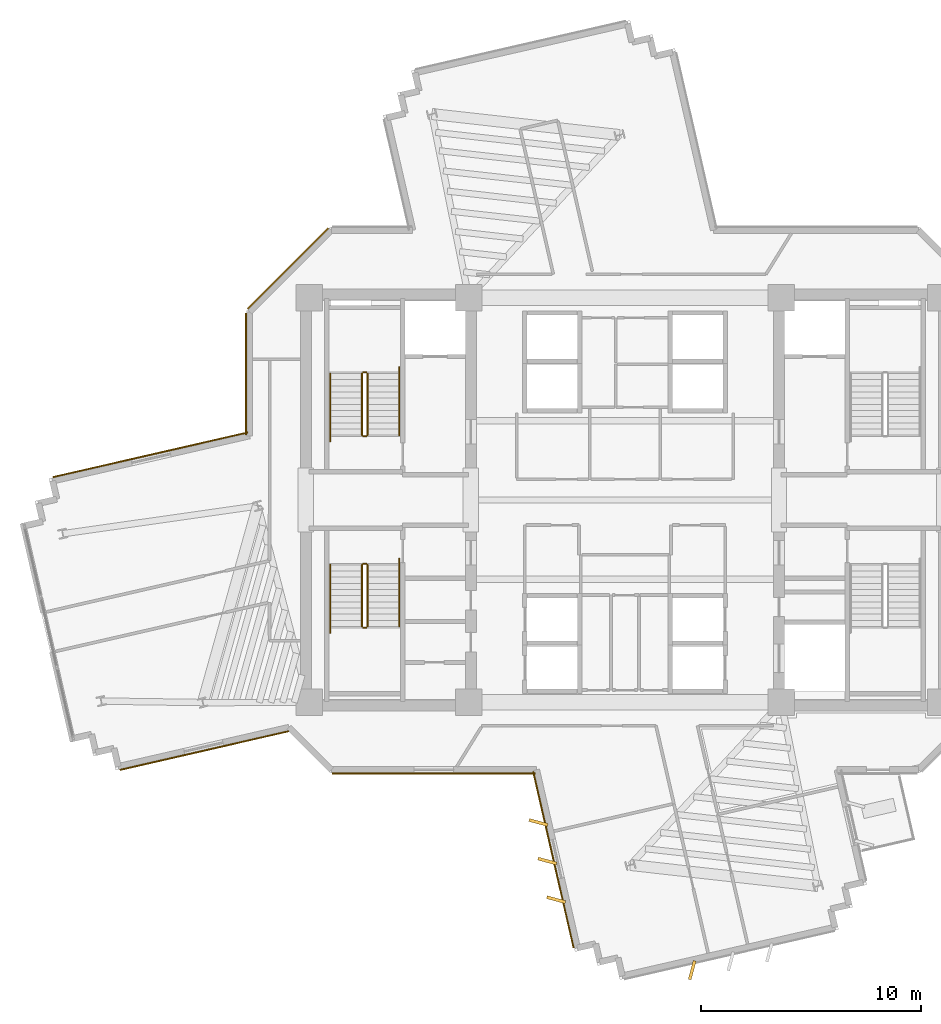
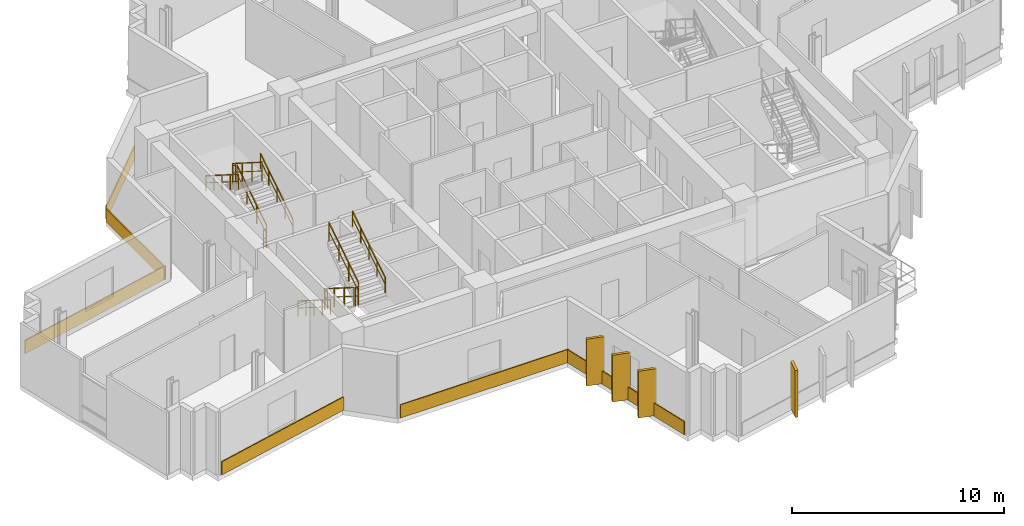
# One storey, part 11 of 13: 12 railings, 10 coverings.
"""IFC4 building model written with IfcOpenShell, lengths in metres."""

import ifcopenshell
import ifcopenshell.guid

model = None  # the IFC model being written
_history = None  # IfcOwnerHistory: only IFC2X3 demands one
_inside = {}  # id of a spatial element -> (the spatial element, [elements in it])
_under = {}  # id of a project, library or spatial element -> (it, [spatial elements below it])
_declared = {}  # id of a project -> (the project, [libraries it declares])
_typed = {}  # id of a type object -> (the type object, [elements of that type])
_made_of = {}  # id of a material, layer set ... -> (it, [elements and type objects made of it])


def new_model(schema):
    """Start an empty IFC model of exactly this schema.

    Asked for "IFC4X3", IfcOpenShell would pick the latest addendum, in which some entities
    have other attributes; the version numbers below select the first issue.
    IFC2X3 requires an IfcOwnerHistory on every rooted entity: one is made here for all.
    """
    global model, _history
    if schema == "IFC4X3":
        model = ifcopenshell.file(schema_version=(4, 3, 0, 0))
    else:
        model = ifcopenshell.file(schema=schema)
    _inside.clear()
    _under.clear()
    _declared.clear()
    _typed.clear()
    _made_of.clear()
    _history = None
    if model.schema == "IFC2X3":
        org = make("IfcOrganization", Name="unknown")
        user = make(
            "IfcPersonAndOrganization",
            ThePerson=make("IfcPerson", FamilyName="unknown"),
            TheOrganization=org,
        )
        app = make(
            "IfcApplication",
            ApplicationDeveloper=org,
            Version="unknown",
            ApplicationFullName="unknown",
            ApplicationIdentifier="unknown",
        )
        _history = make(
            "IfcOwnerHistory",
            OwningUser=user,
            OwningApplication=app,
            ChangeAction="ADDED",
            CreationDate=0,
        )
    return model


def make(cls, **values):
    """One entity of the class cls with the attributes given. An attribute that is None is left unset."""
    return model.create_entity(
        cls, **{name: value for name, value in values.items() if value is not None}
    )


def rooted(cls, **values):
    """An entity with a GlobalId (a new one), such as an element, a storey or a relation."""
    return make(cls, GlobalId=ifcopenshell.guid.new(), OwnerHistory=_history, **values)


def si_unit(unit_type, name, prefix=None):
    """IfcSIUnit, for example si_unit("LENGTHUNIT", "METRE", prefix="MILLI")."""
    return make("IfcSIUnit", UnitType=unit_type, Prefix=prefix, Name=name)


def assignment(units):
    """IfcUnitAssignment: the units of a project."""
    return None if units is None else make("IfcUnitAssignment", Units=units)


def point(xyz):
    """IfcCartesianPoint."""
    return None if xyz is None else make("IfcCartesianPoint", Coordinates=xyz)


def direction(xyz):
    """IfcDirection."""
    return None if xyz is None else make("IfcDirection", DirectionRatios=xyz)


def frame(location, z_axis=None, x_axis=None):
    """IfcAxis2Placement3D, a coordinate frame: its origin and axes. An axis left out is left unset."""
    return make(
        "IfcAxis2Placement3D",
        Location=point(location),
        Axis=direction(z_axis),
        RefDirection=direction(x_axis),
    )


def frame_2d(location, x_axis=None):
    """IfcAxis2Placement2D, a coordinate frame in the plane: its origin and x axis."""
    return make(
        "IfcAxis2Placement2D", Location=point(location), RefDirection=direction(x_axis)
    )


def origin():
    """The frame at (0, 0, 0) with its axes left unset."""
    return frame((0.0, 0.0, 0.0))


def origin_2d():
    """The frame at (0, 0) in the plane with its x axis left unset."""
    return frame_2d((0.0, 0.0))


def place(relative_to, where):
    """IfcLocalPlacement: puts the frame where relative to a parent placement (None: the world)."""
    return make(
        "IfcLocalPlacement", PlacementRelTo=relative_to, RelativePlacement=where
    )


def context(
    kind, dimensions, precision=None, world=None, true_north=None, identifier=None
):
    """IfcGeometricRepresentationContext, for example the 3D "Model" context."""
    return make(
        "IfcGeometricRepresentationContext",
        ContextIdentifier=identifier,
        ContextType=kind,
        CoordinateSpaceDimension=dimensions,
        Precision=precision,
        WorldCoordinateSystem=world,
        TrueNorth=true_north,
    )


def subcontext(parent, identifier, kind, view, scale=None):
    """IfcGeometricRepresentationSubContext, for example "Body" below "Model"."""
    return make(
        "IfcGeometricRepresentationSubContext",
        ContextIdentifier=identifier,
        ContextType=kind,
        ParentContext=parent,
        TargetScale=scale,
        TargetView=view,
    )


def project(units=None, contexts=None):
    """IfcProject with its units and contexts."""
    return rooted(
        "IfcProject",
        Name="project",
        RepresentationContexts=contexts,
        UnitsInContext=assignment(units),
    )


def spatial(cls, under=None, at=None, **own):
    """A site, building, storey or space (cls), placed at a placement, below another one or the project."""
    s = rooted(cls, ObjectPlacement=at, **own)
    if under is not None:
        _under.setdefault(under.id(), (under, []))[1].append(s)
    return s


def profile(cls, at=None, kind="AREA", **sizes):
    """A parametric profile (cls). Its sizes go by their IFC names, for example OverallWidth=200.0."""
    return make(cls, ProfileType=kind, Position=at, **sizes)


def rectangle(**sizes):
    """IfcRectangleProfileDef."""
    return profile("IfcRectangleProfileDef", **sizes)


def extrude(swept, where, along, depth):
    """IfcExtrudedAreaSolid: the profile swept, set in the frame where, extruded along a direction by depth."""
    return make(
        "IfcExtrudedAreaSolid",
        SweptArea=swept,
        Position=where,
        ExtrudedDirection=direction(along),
        Depth=depth,
    )


def shape(context_of_items, identifier, shape_type, items):
    """IfcShapeRepresentation: the items that make up one representation, for example the "Body"."""
    return make(
        "IfcShapeRepresentation",
        ContextOfItems=context_of_items,
        RepresentationIdentifier=identifier,
        RepresentationType=shape_type,
        Items=items,
    )


def source(mapping_origin, context_of_items, identifier, shape_type, items):
    """IfcRepresentationMap: a shape defined once, which mapped items show again and again."""
    return make(
        "IfcRepresentationMap",
        MappingOrigin=mapping_origin,
        MappedRepresentation=shape(context_of_items, identifier, shape_type, items),
    )


def transform(
    local_origin,
    x_axis=None,
    y_axis=None,
    z_axis=None,
    scale=None,
    scale2=None,
    scale3=None,
    uniform=True,
):
    """IfcCartesianTransformationOperator3D, or its non-uniform kind. x_axis, y_axis, z_axis: its Axis1, 2, 3."""
    if uniform:
        return make(
            "IfcCartesianTransformationOperator3D",
            Axis1=direction(x_axis),
            Axis2=direction(y_axis),
            LocalOrigin=point(local_origin),
            Scale=scale,
            Axis3=direction(z_axis),
        )
    return make(
        "IfcCartesianTransformationOperator3DnonUniform",
        Axis1=direction(x_axis),
        Axis2=direction(y_axis),
        LocalOrigin=point(local_origin),
        Scale=scale,
        Axis3=direction(z_axis),
        Scale2=scale2,
        Scale3=scale3,
    )


def mapped(mapping_source, mapping_target):
    """IfcMappedItem: shows the shape of a source again, moved by a transform."""
    return make(
        "IfcMappedItem", MappingSource=mapping_source, MappingTarget=mapping_target
    )


def material(Name=None, Category=None):
    """IfcMaterial."""
    return make("IfcMaterial", Name=Name, Category=Category)


def layer(
    of_material, thickness, ventilated=None, Name=None, Category=None, Priority=None
):
    """IfcMaterialLayer: one layer of a wall or slab, of a material (None: an air gap)."""
    return make(
        "IfcMaterialLayer",
        Material=of_material,
        LayerThickness=thickness,
        IsVentilated=ventilated,
        Name=Name,
        Category=Category,
        Priority=Priority,
    )


def layer_set(layers, Name=None):
    """IfcMaterialLayerSet."""
    return make("IfcMaterialLayerSet", MaterialLayers=layers, LayerSetName=Name)


def made_of(thing, what):
    """Note that an element or type object is made of a material, layer set ...; save() writes the relation."""
    if what is not None:
        _made_of.setdefault(what.id(), (what, []))[1].append(thing)
    return thing


def type_object(cls, material=None, **own):
    """A type object (cls), such as IfcWallType, which elements share."""
    return made_of(rooted(cls, **own), material)


def element(
    cls,
    number,
    at=None,
    inside=None,
    cuts=None,
    type_object=None,
    material=None,
    context=None,
    identifier="Body",
    shape_type=None,
    held_by="IfcProductDefinitionShape",
    body=None,
    shapes=None,
    **own,
):
    """One element of the class cls, such as IfcWall. Its Tag is "e" and its number.

    at: its placement. inside: the storey or other place that contains it. cuts: it is an
    opening in that element (IfcRelVoidsElement). A single representation is given by context,
    identifier, shape_type and body (its items); several are given by shapes. held_by: the class
    of the entity that holds the representations. save() writes the other relations.
    """
    e = rooted(cls, Tag="e%d" % number, ObjectPlacement=at, **own)
    if body is not None:
        shapes = [shape(context, identifier, shape_type, body)]
    if shapes is not None:
        e.Representation = make(held_by, Representations=shapes)
    if inside is not None:
        _inside.setdefault(inside.id(), (inside, []))[1].append(e)
    if cuts is not None:
        rooted(
            "IfcRelVoidsElement", RelatingBuildingElement=cuts, RelatedOpeningElement=e
        )
    if type_object is not None:
        _typed.setdefault(type_object.id(), (type_object, []))[1].append(e)
    return made_of(e, material)


def aggregate(whole, parts):
    """IfcRelAggregates: a whole, such as a stair, and the parts it consists of."""
    return rooted("IfcRelAggregates", RelatingObject=whole, RelatedObjects=parts)


def save(model, path):
    """Write the relations noted so far, then the file.

    IfcRelAggregates (storeys below a building ...), IfcRelContainedInSpatialStructure (elements
    in a storey), IfcRelDefinesByType, IfcRelAssociatesMaterial and IfcRelDeclares: one each for
    every whole, place, type object, material and project.
    """
    for whole, parts in _under.values():
        aggregate(whole, parts)
    for where, things in _inside.values():
        rooted(
            "IfcRelContainedInSpatialStructure",
            RelatedElements=things,
            RelatingStructure=where,
        )
    for kind, things in _typed.values():
        rooted("IfcRelDefinesByType", RelatedObjects=things, RelatingType=kind)
    for what, things in _made_of.values():
        rooted("IfcRelAssociatesMaterial", RelatedObjects=things, RelatingMaterial=what)
    for by, libraries in _declared.values():
        rooted("IfcRelDeclares", RelatingContext=by, RelatedDefinitions=libraries)
    model.write(path)


model = new_model("IFC4")

# Units and contexts
model_context = context("Model", 3, precision=1e-05, world=origin(), true_north=direction((0.0, 1.0)))
body_context = subcontext(model_context, "Body", "Model", "MODEL_VIEW")
ifc_project = project(units=[si_unit("LENGTHUNIT", "METRE"), si_unit("AREAUNIT", "SQUARE_METRE"), si_unit("VOLUMEUNIT", "CUBIC_METRE"), si_unit("PLANEANGLEUNIT", "RADIAN"), si_unit("MASSUNIT", "GRAM", prefix="KILO")], contexts=[model_context])

# Site, building, storey
site_placement = place(None, origin())
site = spatial("IfcSite", under=ifc_project, at=site_placement, CompositionType="ELEMENT")
building_placement = place(site_placement, origin())
building = spatial("IfcBuilding", under=site, at=building_placement, Name="Zahravan Cultural Tower", CompositionType="ELEMENT")
storey_placement = place(building_placement, frame((0.0, 0.0, 170.699951171875)))
storey = spatial("IfcBuildingStorey", under=building, at=storey_placement, Name="L39", CompositionType="ELEMENT", Elevation=170.699951171875)

# Railings
ifc_material_1 = material(Name="Steel ASTM A572 Grade 50", Category="steel")
railing_type_1 = type_object("IfcRailingType", Name="RL-STAIR-GRD1150", PredefinedType="BALUSTRADE", material=ifc_material_1)
railing_1_placement = place(storey_placement, frame((24.300048828125, 29.949951171875, 0.17724609375)))
element("IfcRailing", 1, at=railing_1_placement, inside=storey, type_object=railing_type_1, Name="L39 ST-W1 stair guard 1", PredefinedType="BALUSTRADE", context=body_context, shape_type="SweptSolid", body=[
    extrude(rectangle(XDim=0.05, YDim=0.05, at=origin_2d()), frame((0.0, 0.0, 1.0751953125), z_axis=(0.0, 0.844908973607, 0.534910110503), x_axis=(-1.0, 0.0, 0.0)), (0.0, 0.0, 1.0), 3.31396484375),
    extrude(rectangle(XDim=0.032, YDim=0.032, at=origin_2d()), frame((0.0, 0.0, 0.572021484375), z_axis=(0.0, 0.844908973607, 0.534910110503), x_axis=(-1.0, 0.0, 0.0)), (0.0, 0.0, 1.0), 3.31396484375),
    extrude(rectangle(XDim=0.04, YDim=0.04, at=origin_2d()), origin(), (0.0, 0.0, 1.0), 1.10009765625),
    extrude(rectangle(XDim=0.04, YDim=0.04, at=origin_2d()), frame((0.0, 0.933349609375, 0.5908203125)), (0.0, 0.0, 1.0), 1.10009765625),
    extrude(rectangle(XDim=0.04, YDim=0.04, at=origin_2d()), frame((0.0, 1.86669921875, 1.181884765625)), (0.0, 0.0, 1.0), 1.10009765625),
    extrude(rectangle(XDim=0.04, YDim=0.04, at=origin_2d()), frame((0.0, 2.800048828125, 1.772705078125)), (0.0, 0.0, 1.0), 1.10009765625),
])
railing_2_placement = place(storey_placement, frame((24.25, 32.800048828125, 1.949951171875)))
element("IfcRailing", 2, at=railing_2_placement, inside=storey, type_object=railing_type_1, Name="L39 ST-W1 stair guard 2", PredefinedType="BALUSTRADE", context=body_context, shape_type="SweptSolid", body=[
    extrude(rectangle(XDim=0.05, YDim=0.05, at=origin_2d()), frame((0.0, 0.0, 1.0751953125), z_axis=(-1.0, 0.0, 0.0), x_axis=(0.0, -1.0, 0.0)), (0.0, 0.0, 1.0), 0.14990234375),
    extrude(rectangle(XDim=0.032, YDim=0.032, at=origin_2d()), frame((0.0, 0.0, 0.572021484375), z_axis=(-1.0, 0.0, 0.0), x_axis=(0.0, -1.0, 0.0)), (0.0, 0.0, 1.0), 0.14990234375),
    extrude(rectangle(XDim=0.04, YDim=0.04, at=origin_2d()), origin(), (0.0, 0.0, 1.0), 1.10009765625),
    extrude(rectangle(XDim=0.04, YDim=0.04, at=origin_2d()), frame((-0.14990234375, 0.0, 0.0)), (0.0, 0.0, 1.0), 1.10009765625),
])
railing_3_placement = place(storey_placement, frame((24.050048828125, 32.75, 2.12744140625)))
element("IfcRailing", 3, at=railing_3_placement, inside=storey, type_object=railing_type_1, Name="L39 ST-W1 stair guard 3", PredefinedType="BALUSTRADE", context=body_context, shape_type="SweptSolid", body=[
    extrude(rectangle(XDim=0.05, YDim=0.05, at=origin_2d()), frame((0.0, 0.0, 1.0751953125), z_axis=(0.0, -0.844908973607, 0.534910110503), x_axis=(1.0, 0.0, 0.0)), (0.0, 0.0, 1.0), 3.31396484375),
    extrude(rectangle(XDim=0.032, YDim=0.032, at=origin_2d()), frame((0.0, 0.0, 0.572021484375), z_axis=(0.0, -0.844908973607, 0.534910110503), x_axis=(1.0, 0.0, 0.0)), (0.0, 0.0, 1.0), 3.31396484375),
    extrude(rectangle(XDim=0.04, YDim=0.04, at=origin_2d()), origin(), (0.0, 0.0, 1.0), 1.10009765625),
    extrude(rectangle(XDim=0.04, YDim=0.04, at=origin_2d()), frame((0.0, -0.933349609375, 0.5908203125)), (0.0, 0.0, 1.0), 1.10009765625),
    extrude(rectangle(XDim=0.04, YDim=0.04, at=origin_2d()), frame((0.0, -1.86669921875, 1.181884765625)), (0.0, 0.0, 1.0), 1.10009765625),
    extrude(rectangle(XDim=0.04, YDim=0.04, at=origin_2d()), frame((0.0, -2.800048828125, 1.772705078125)), (0.0, 0.0, 1.0), 1.10009765625),
])
railing_4_placement = place(storey_placement, frame((24.25, 29.89990234375, 0.0)))
element("IfcRailing", 4, at=railing_4_placement, inside=storey, type_object=railing_type_1, Name="L39 ST-W1 stair guard 4", PredefinedType="BALUSTRADE", context=body_context, shape_type="SweptSolid", body=[
    extrude(rectangle(XDim=0.05, YDim=0.05, at=origin_2d()), frame((0.0, 0.0, 1.0751953125), z_axis=(-1.0, 0.0, 0.0), x_axis=(0.0, -1.0, 0.0)), (0.0, 0.0, 1.0), 0.14990234375),
    extrude(rectangle(XDim=0.032, YDim=0.032, at=origin_2d()), frame((0.0, 0.0, 0.572021484375), z_axis=(-1.0, 0.0, 0.0), x_axis=(0.0, -1.0, 0.0)), (0.0, 0.0, 1.0), 0.14990234375),
    extrude(rectangle(XDim=0.04, YDim=0.04, at=origin_2d()), origin(), (0.0, 0.0, 1.0), 1.10009765625),
    extrude(rectangle(XDim=0.04, YDim=0.04, at=origin_2d()), frame((-0.14990234375, 0.0, 0.0)), (0.0, 0.0, 1.0), 1.10009765625),
])
railing_5_placement = place(storey_placement, frame((24.050048828125, 24.050048828125, 0.17724609375)))
element("IfcRailing", 5, at=railing_5_placement, inside=storey, type_object=railing_type_1, Name="L39 ST-W2 stair guard 1", PredefinedType="BALUSTRADE", context=body_context, shape_type="SweptSolid", body=[
    extrude(rectangle(XDim=0.05, YDim=0.05, at=origin_2d()), frame((0.0, 0.0, 1.0751953125), z_axis=(0.0, -0.844908973607, 0.534910110503), x_axis=(1.0, 0.0, 0.0)), (0.0, 0.0, 1.0), 3.31396484375),
    extrude(rectangle(XDim=0.032, YDim=0.032, at=origin_2d()), frame((0.0, 0.0, 0.572021484375), z_axis=(0.0, -0.844908973607, 0.534910110503), x_axis=(1.0, 0.0, 0.0)), (0.0, 0.0, 1.0), 3.31396484375),
    extrude(rectangle(XDim=0.04, YDim=0.04, at=origin_2d()), origin(), (0.0, 0.0, 1.0), 1.10009765625),
    extrude(rectangle(XDim=0.04, YDim=0.04, at=origin_2d()), frame((0.0, -0.933349609375, 0.5908203125)), (0.0, 0.0, 1.0), 1.10009765625),
    extrude(rectangle(XDim=0.04, YDim=0.04, at=origin_2d()), frame((0.0, -1.86669921875, 1.181884765625)), (0.0, 0.0, 1.0), 1.10009765625),
    extrude(rectangle(XDim=0.04, YDim=0.04, at=origin_2d()), frame((0.0, -2.800048828125, 1.772705078125)), (0.0, 0.0, 1.0), 1.10009765625),
])
railing_6_placement = place(storey_placement, frame((24.10009765625, 21.199951171875, 1.949951171875)))
element("IfcRailing", 6, at=railing_6_placement, inside=storey, type_object=railing_type_1, Name="L39 ST-W2 stair guard 2", PredefinedType="BALUSTRADE", context=body_context, shape_type="SweptSolid", body=[
    extrude(rectangle(XDim=0.05, YDim=0.05, at=origin_2d()), frame((0.0, 0.0, 1.0751953125), z_axis=(1.0, 0.0, 0.0), x_axis=(0.0, 1.0, 0.0)), (0.0, 0.0, 1.0), 0.14990234375),
    extrude(rectangle(XDim=0.032, YDim=0.032, at=origin_2d()), frame((0.0, 0.0, 0.572021484375), z_axis=(1.0, 0.0, 0.0), x_axis=(0.0, 1.0, 0.0)), (0.0, 0.0, 1.0), 0.14990234375),
    extrude(rectangle(XDim=0.04, YDim=0.04, at=origin_2d()), origin(), (0.0, 0.0, 1.0), 1.10009765625),
    extrude(rectangle(XDim=0.04, YDim=0.04, at=origin_2d()), frame((0.14990234375, 0.0, 0.0)), (0.0, 0.0, 1.0), 1.10009765625),
])
railing_7_placement = place(storey_placement, frame((24.300048828125, 21.25, 2.12744140625)))
element("IfcRailing", 7, at=railing_7_placement, inside=storey, type_object=railing_type_1, Name="L39 ST-W2 stair guard 3", PredefinedType="BALUSTRADE", context=body_context, shape_type="SweptSolid", body=[
    extrude(rectangle(XDim=0.05, YDim=0.05, at=origin_2d()), frame((0.0, 0.0, 1.0751953125), z_axis=(0.0, 0.844908973607, 0.534910110503), x_axis=(-1.0, 0.0, 0.0)), (0.0, 0.0, 1.0), 3.31396484375),
    extrude(rectangle(XDim=0.032, YDim=0.032, at=origin_2d()), frame((0.0, 0.0, 0.572021484375), z_axis=(0.0, 0.844908973607, 0.534910110503), x_axis=(-1.0, 0.0, 0.0)), (0.0, 0.0, 1.0), 3.31396484375),
    extrude(rectangle(XDim=0.04, YDim=0.04, at=origin_2d()), origin(), (0.0, 0.0, 1.0), 1.10009765625),
    extrude(rectangle(XDim=0.04, YDim=0.04, at=origin_2d()), frame((0.0, 0.933349609375, 0.5908203125)), (0.0, 0.0, 1.0), 1.10009765625),
    extrude(rectangle(XDim=0.04, YDim=0.04, at=origin_2d()), frame((0.0, 1.86669921875, 1.181884765625)), (0.0, 0.0, 1.0), 1.10009765625),
    extrude(rectangle(XDim=0.04, YDim=0.04, at=origin_2d()), frame((0.0, 2.800048828125, 1.772705078125)), (0.0, 0.0, 1.0), 1.10009765625),
])
railing_8_placement = place(storey_placement, frame((24.10009765625, 24.10009765625, 0.0)))
element("IfcRailing", 8, at=railing_8_placement, inside=storey, type_object=railing_type_1, Name="L39 ST-W2 stair guard 4", PredefinedType="BALUSTRADE", context=body_context, shape_type="SweptSolid", body=[
    extrude(rectangle(XDim=0.05, YDim=0.05, at=origin_2d()), frame((0.0, 0.0, 1.0751953125), z_axis=(1.0, 0.0, 0.0), x_axis=(0.0, 1.0, 0.0)), (0.0, 0.0, 1.0), 0.14990234375),
    extrude(rectangle(XDim=0.032, YDim=0.032, at=origin_2d()), frame((0.0, 0.0, 0.572021484375), z_axis=(1.0, 0.0, 0.0), x_axis=(0.0, 1.0, 0.0)), (0.0, 0.0, 1.0), 0.14990234375),
    extrude(rectangle(XDim=0.04, YDim=0.04, at=origin_2d()), origin(), (0.0, 0.0, 1.0), 1.10009765625),
    extrude(rectangle(XDim=0.04, YDim=0.04, at=origin_2d()), frame((0.14990234375, 0.0, 0.0)), (0.0, 0.0, 1.0), 1.10009765625),
])
railing_type_2 = type_object("IfcRailingType", Name="RL-STAIR-HR900", PredefinedType="HANDRAIL", material=ifc_material_1)
railing_9_placement = place(storey_placement, frame((25.75, 29.949951171875, 0.17724609375)))
element("IfcRailing", 9, at=railing_9_placement, inside=storey, type_object=railing_type_2, Name="L39 ST-W1 stair handrail 1", PredefinedType="HANDRAIL", context=body_context, shape_type="SweptSolid", body=[
    extrude(rectangle(XDim=0.05, YDim=0.05, at=origin_2d()), frame((0.0, 0.0, 0.875), z_axis=(0.0, 0.844883648757, 0.534950109882), x_axis=(-1.0, 0.0, 0.0)), (0.0, 0.0, 1.0), 3.6455078125),
    extrude(rectangle(XDim=0.032, YDim=0.032, at=origin_2d()), frame((0.0, 0.0, 0.468017578125), z_axis=(0.0, 0.844883648757, 0.534950109882), x_axis=(-1.0, 0.0, 0.0)), (0.0, 0.0, 1.0), 3.6455078125),
    extrude(rectangle(XDim=0.04, YDim=0.04, at=origin_2d()), origin(), (0.0, 0.0, 1.0), 0.89990234375),
    extrude(rectangle(XDim=0.04, YDim=0.04, at=origin_2d()), frame((0.0, 0.77001953125, 0.487548828125)), (0.0, 0.0, 1.0), 0.89990234375),
    extrude(rectangle(XDim=0.04, YDim=0.04, at=origin_2d()), frame((0.0, 1.5400390625, 0.97509765625)), (0.0, 0.0, 1.0), 0.89990234375),
    extrude(rectangle(XDim=0.04, YDim=0.04, at=origin_2d()), frame((0.0, 2.31005859375, 1.462646484375)), (0.0, 0.0, 1.0), 0.89990234375),
    extrude(rectangle(XDim=0.04, YDim=0.04, at=origin_2d()), frame((0.0, 3.080078125, 1.9501953125)), (0.0, 0.0, 1.0), 0.89990234375),
])
railing_10_placement = place(storey_placement, frame((22.60009765625, 32.75, 2.12744140625)))
element("IfcRailing", 10, at=railing_10_placement, inside=storey, type_object=railing_type_2, Name="L39 ST-W1 stair handrail 2", PredefinedType="HANDRAIL", context=body_context, shape_type="SweptSolid", body=[
    extrude(rectangle(XDim=0.05, YDim=0.05, at=origin_2d()), frame((0.0, 0.0, 0.875), z_axis=(0.0, -0.844913916606, 0.534902302785), x_axis=(1.0, 0.0, 0.0)), (0.0, 0.0, 1.0), 3.6455078125),
    extrude(rectangle(XDim=0.032, YDim=0.032, at=origin_2d()), frame((0.0, 0.0, 0.468017578125), z_axis=(0.0, -0.844913916606, 0.534902302785), x_axis=(1.0, 0.0, 0.0)), (0.0, 0.0, 1.0), 3.6455078125),
    extrude(rectangle(XDim=0.04, YDim=0.04, at=origin_2d()), origin(), (0.0, 0.0, 1.0), 0.89990234375),
    extrude(rectangle(XDim=0.04, YDim=0.04, at=origin_2d()), frame((0.0, -0.77001953125, 0.487548828125)), (0.0, 0.0, 1.0), 0.89990234375),
    extrude(rectangle(XDim=0.04, YDim=0.04, at=origin_2d()), frame((0.0, -1.5400390625, 0.97509765625)), (0.0, 0.0, 1.0), 0.89990234375),
    extrude(rectangle(XDim=0.04, YDim=0.04, at=origin_2d()), frame((0.0, -2.31005859375, 1.46240234375)), (0.0, 0.0, 1.0), 0.89990234375),
    extrude(rectangle(XDim=0.04, YDim=0.04, at=origin_2d()), frame((0.0, -3.080078125, 1.949951171875)), (0.0, 0.0, 1.0), 0.89990234375),
])
railing_11_placement = place(storey_placement, frame((22.60009765625, 24.050048828125, 0.17724609375)))
element("IfcRailing", 11, at=railing_11_placement, inside=storey, type_object=railing_type_2, Name="L39 ST-W2 stair handrail 1", PredefinedType="HANDRAIL", context=body_context, shape_type="SweptSolid", body=[
    extrude(rectangle(XDim=0.05, YDim=0.05, at=origin_2d()), frame((0.0, 0.0, 0.875), z_axis=(0.0, -0.844883648757, 0.534950109882), x_axis=(1.0, 0.0, 0.0)), (0.0, 0.0, 1.0), 3.6455078125),
    extrude(rectangle(XDim=0.032, YDim=0.032, at=origin_2d()), frame((0.0, 0.0, 0.468017578125), z_axis=(0.0, -0.844883648757, 0.534950109882), x_axis=(1.0, 0.0, 0.0)), (0.0, 0.0, 1.0), 3.6455078125),
    extrude(rectangle(XDim=0.04, YDim=0.04, at=origin_2d()), origin(), (0.0, 0.0, 1.0), 0.89990234375),
    extrude(rectangle(XDim=0.04, YDim=0.04, at=origin_2d()), frame((0.0, -0.77001953125, 0.487548828125)), (0.0, 0.0, 1.0), 0.89990234375),
    extrude(rectangle(XDim=0.04, YDim=0.04, at=origin_2d()), frame((0.0, -1.5400390625, 0.97509765625)), (0.0, 0.0, 1.0), 0.89990234375),
    extrude(rectangle(XDim=0.04, YDim=0.04, at=origin_2d()), frame((0.0, -2.31005859375, 1.462646484375)), (0.0, 0.0, 1.0), 0.89990234375),
    extrude(rectangle(XDim=0.04, YDim=0.04, at=origin_2d()), frame((0.0, -3.080078125, 1.9501953125)), (0.0, 0.0, 1.0), 0.89990234375),
])
railing_12_placement = place(storey_placement, frame((25.75, 21.25, 2.12744140625)))
element("IfcRailing", 12, at=railing_12_placement, inside=storey, type_object=railing_type_2, Name="L39 ST-W2 stair handrail 2", PredefinedType="HANDRAIL", context=body_context, shape_type="SweptSolid", body=[
    extrude(rectangle(XDim=0.05, YDim=0.05, at=origin_2d()), frame((0.0, 0.0, 0.875), z_axis=(0.0, 0.844913916606, 0.534902302785), x_axis=(-1.0, 0.0, 0.0)), (0.0, 0.0, 1.0), 3.6455078125),
    extrude(rectangle(XDim=0.032, YDim=0.032, at=origin_2d()), frame((0.0, 0.0, 0.468017578125), z_axis=(0.0, 0.844913916606, 0.534902302785), x_axis=(-1.0, 0.0, 0.0)), (0.0, 0.0, 1.0), 3.6455078125),
    extrude(rectangle(XDim=0.04, YDim=0.04, at=origin_2d()), origin(), (0.0, 0.0, 1.0), 0.89990234375),
    extrude(rectangle(XDim=0.04, YDim=0.04, at=origin_2d()), frame((0.0, 0.77001953125, 0.487548828125)), (0.0, 0.0, 1.0), 0.89990234375),
    extrude(rectangle(XDim=0.04, YDim=0.04, at=origin_2d()), frame((0.0, 1.5400390625, 0.97509765625)), (0.0, 0.0, 1.0), 0.89990234375),
    extrude(rectangle(XDim=0.04, YDim=0.04, at=origin_2d()), frame((0.0, 2.31005859375, 1.46240234375)), (0.0, 0.0, 1.0), 0.89990234375),
    extrude(rectangle(XDim=0.04, YDim=0.04, at=origin_2d()), frame((0.0, 3.080078125, 1.949951171875)), (0.0, 0.0, 1.0), 0.89990234375),
])

# Coverings
ifc_material_2 = material(Name="Terracotta ceramic cladding", Category="masonry")
ifc_layer = layer(ifc_material_2, 0.06005859375)
ifc_layer_set = layer_set([ifc_layer], Name="Terracotta ceramic cladding")
covering_type = type_object("IfcCoveringType", Name="COV-CLAD-TC60", PredefinedType="CLADDING", material=ifc_layer_set)
shared_shape_1 = source(origin(), body_context, "Body", "SweptSolid", [
    extrude(rectangle(XDim=5.157958984375, YDim=0.06005859375, at=origin_2d()), origin(), (0.0, 0.0, 1.0), 0.760009765625),
])
covering_1_placement = place(storey_placement, frame((20.682373046875, 37.517578125, 0.02001953125), z_axis=(0.0, 0.0, 1.0), x_axis=(0.707106781187, 0.707106781187, 0.0)))
element("IfcCovering", 13, at=covering_1_placement, inside=storey, type_object=covering_type, Name="L39 Terracotta Spandrel Cladding 38", PredefinedType="CLADDING", context=body_context, shape_type="MappedRepresentation", body=[
    mapped(shared_shape_1, transform((0.0, 0.0, 0.0), x_axis=(1.0, 0.0, 0.0), y_axis=(0.0, 1.0, 0.0), z_axis=(0.0, 0.0, 1.0), scale=1.0)),
])
shared_shape_2 = source(origin(), body_context, "Body", "SweptSolid", [
    extrude(rectangle(XDim=0.8798828125, YDim=0.139892578125, at=origin_2d()), origin(), (0.0, 0.0, 1.0), 2.699951171875),
])
for number, where, z_axis, x_axis, name in (
    (14, (39.054931640625, 5.632080078125, 0.05029296875), (0.0, 0.0, 1.0), (-0.260167479254, -0.965563505285, 0.0), "L39 Herringbone Terracotta Fin 15"),
    (15, (32.872314453125, 8.83544921875, 0.05029296875), (0.0, 0.0, 1.0), (-0.965568045917, 0.260150626952, 0.0), "L39 Herringbone Terracotta Fin 16"),
    (16, (32.4697265625, 10.58984375, 0.05029296875), (0.0, 0.0, 1.0), (-0.965568045917, 0.260150626952, 0.0), "L39 Herringbone Terracotta Fin 17"),
    (17, (32.0673828125, 12.344482421875, 0.05029296875), (0.0, 0.0, 1.0), (-0.965568045917, 0.260150626952, 0.0), "L39 Herringbone Terracotta Fin 18"),
):
    element("IfcCovering", number, at=place(storey_placement, frame(where, z_axis=z_axis, x_axis=x_axis)), inside=storey, type_object=covering_type, Name=name, PredefinedType="CLADDING", context=body_context, shape_type="MappedRepresentation", body=[
        mapped(shared_shape_2, transform((0.0, 0.0, 0.0), x_axis=(1.0, 0.0, 0.0), y_axis=(0.0, 1.0, 0.0), z_axis=(0.0, 0.0, 1.0), scale=1.0)),
    ])
shared_shape_3 = source(origin(), body_context, "Body", "SweptSolid", [
    extrude(rectangle(XDim=7.868896484375, YDim=0.06005859375, at=origin_2d()), origin(), (0.0, 0.0, 1.0), 0.760009765625),
])
covering_2_placement = place(storey_placement, frame((16.886474609375, 15.613037109375, 0.02001953125), z_axis=(0.0, 0.0, 1.0), x_axis=(-0.974683205815, -0.223590358248, 0.0)))
element("IfcCovering", 18, at=covering_2_placement, inside=storey, type_object=covering_type, Name="L39 Terracotta Spandrel Cladding 27", PredefinedType="CLADDING", context=body_context, shape_type="MappedRepresentation", body=[
    mapped(shared_shape_3, transform((0.0, 0.0, 0.0), x_axis=(1.0, 0.0, 0.0), y_axis=(0.0, 1.0, 0.0), z_axis=(0.0, 0.0, 1.0), scale=1.0)),
])
shared_shape_4 = source(origin(), body_context, "Body", "SweptSolid", [
    extrude(rectangle(XDim=9.084716796875, YDim=0.06005859375, at=origin_2d()), origin(), (0.0, 0.0, 1.0), 0.760009765625),
])
covering_3_placement = place(storey_placement, frame((14.427001953125, 29.053466796875, 0.02001953125), z_axis=(0.0, 0.0, 1.0), x_axis=(0.974679303279, 0.223607369645, 0.0)))
element("IfcCovering", 19, at=covering_3_placement, inside=storey, type_object=covering_type, Name="L39 Terracotta Spandrel Cladding 36", PredefinedType="CLADDING", context=body_context, shape_type="MappedRepresentation", body=[
    mapped(shared_shape_4, transform((0.0, 0.0, 0.0), x_axis=(1.0, 0.0, 0.0), y_axis=(0.0, 1.0, 0.0), z_axis=(0.0, 0.0, 1.0), scale=1.0)),
])
shared_shape_5 = source(origin(), body_context, "Body", "SweptSolid", [
    extrude(rectangle(XDim=5.5224609375, YDim=0.06005859375, at=origin_2d()), origin(), (0.0, 0.0, 1.0), 0.760009765625),
])
covering_4_placement = place(storey_placement, frame((18.77490234375, 32.730712890625, 0.02001953125), z_axis=(0.0, 0.0, 1.0), x_axis=(0.0, 1.0, 0.0)))
element("IfcCovering", 20, at=covering_4_placement, inside=storey, type_object=covering_type, Name="L39 Terracotta Spandrel Cladding 37", PredefinedType="CLADDING", context=body_context, shape_type="MappedRepresentation", body=[
    mapped(shared_shape_5, transform((0.0, 0.0, 0.0), x_axis=(1.0, 0.0, 0.0), y_axis=(0.0, 1.0, 0.0), z_axis=(0.0, 0.0, 1.0), scale=1.0)),
])
shared_shape_6 = source(origin(), body_context, "Body", "SweptSolid", [
    extrude(rectangle(XDim=8.209228515625, YDim=0.06005859375, at=origin_2d()), origin(), (0.0, 0.0, 1.0), 0.760009765625),
])
covering_5_placement = place(storey_placement, frame((32.74755859375, 10.65380859375, 0.02001953125), z_axis=(0.0, 0.0, 1.0), x_axis=(-0.223607369645, 0.974679303279, 0.0)))
element("IfcCovering", 21, at=covering_5_placement, inside=storey, type_object=covering_type, Name="L39 Terracotta Spandrel Cladding 24", PredefinedType="CLADDING", context=body_context, shape_type="MappedRepresentation", body=[
    mapped(shared_shape_6, transform((0.0, 0.0, 0.0), x_axis=(1.0, 0.0, 0.0), y_axis=(0.0, 1.0, 0.0), z_axis=(0.0, 0.0, 1.0), scale=1.0)),
])
shared_shape_7 = source(origin(), body_context, "Body", "SweptSolid", [
    extrude(rectangle(XDim=9.221435546875, YDim=0.06005859375, at=origin_2d()), origin(), (0.0, 0.0, 1.0), 0.760009765625),
])
covering_6_placement = place(storey_placement, frame((27.318603515625, 14.574951171875, 0.02001953125), z_axis=(0.0, 0.0, 1.0), x_axis=(-1.0, 0.0, 0.0)))
element("IfcCovering", 22, at=covering_6_placement, inside=storey, type_object=covering_type, Name="L39 Terracotta Spandrel Cladding 25", PredefinedType="CLADDING", context=body_context, shape_type="MappedRepresentation", body=[
    mapped(shared_shape_7, transform((0.0, 0.0, 0.0), x_axis=(1.0, 0.0, 0.0), y_axis=(0.0, 1.0, 0.0), z_axis=(0.0, 0.0, 1.0), scale=1.0)),
])

save(model, "model.ifc")
